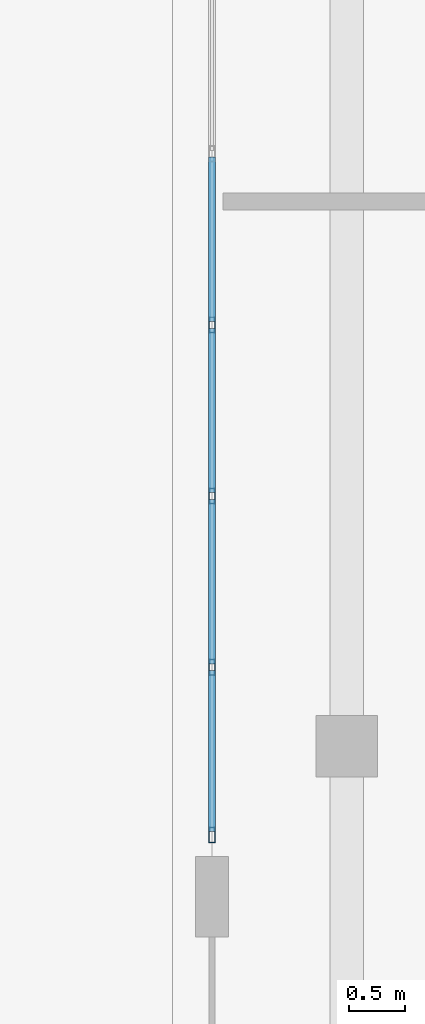
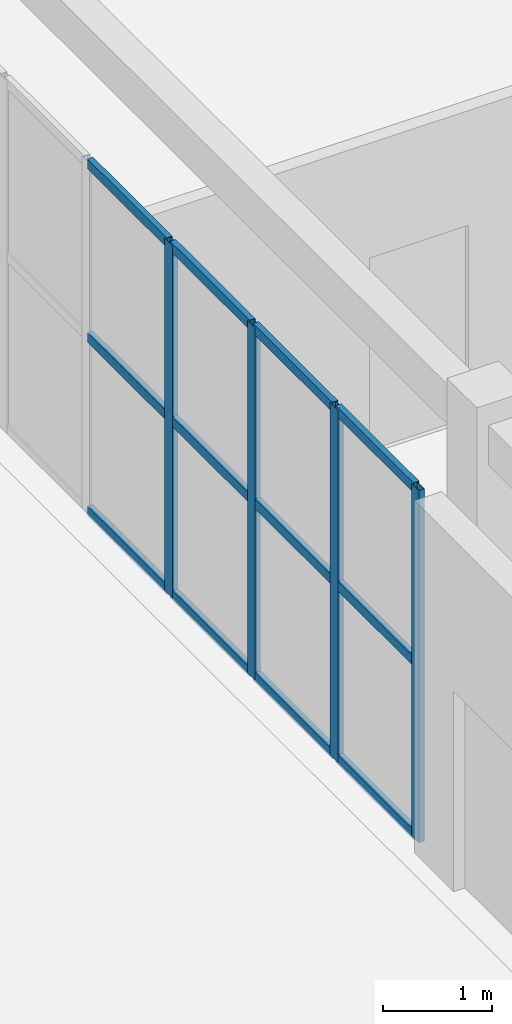
# One storey, part 19 of 90: 16 members, 1 element without a shape of its own.
"""IFC4 building model written with IfcOpenShell, lengths in metres."""

from ifc_helpers import new_model, si_unit, direction, frame, origin, origin_2d, place, context, subcontext, project, spatial, hollow_rectangle, extrude, material, layer, layer_set, material_profile, profile_set, type_object, element, aggregate, save


model = new_model("IFC4")

# Units and contexts
model_context = context("Model", 3, precision=1e-05, world=origin(), true_north=direction((0.0, 1.0)))
body_context = subcontext(model_context, "Body", "Model", "MODEL_VIEW")
ifc_project = project(units=[si_unit("LENGTHUNIT", "METRE"), si_unit("AREAUNIT", "SQUARE_METRE"), si_unit("VOLUMEUNIT", "CUBIC_METRE"), si_unit("PLANEANGLEUNIT", "RADIAN"), si_unit("MASSUNIT", "GRAM", prefix="KILO")], contexts=[model_context])

# Site, building, storey
site_placement = place(None, origin())
site = spatial("IfcSite", under=ifc_project, at=site_placement, CompositionType="ELEMENT")
building_placement = place(site_placement, origin())
building = spatial("IfcBuilding", under=site, at=building_placement, Name="Trelvath General Hospital", CompositionType="ELEMENT")
storey_placement = place(building_placement, frame((0.0, 0.0, 20.39990234375)))
storey = spatial("IfcBuildingStorey", under=building, at=storey_placement, Name="L05", CompositionType="ELEMENT", Elevation=20.39990234375)

# Curtain wall, members
ifc_material_1 = material(Name="Anodised aluminium and low-E glass", Category="aluminium")
ifc_layer = layer(ifc_material_1, 0.14990234375)
ifc_layer_set = layer_set([ifc_layer], Name="Anodised aluminium and low-E glass")
curtain_wall_type = type_object("IfcCurtainWallType", Name="CW CrystalCube 914 396 15", PredefinedType="USERDEFINED", material=ifc_layer_set)
curtain_wall_placement = place(storey_placement, origin())
curtain_wall = element("IfcCurtainWall", 1, at=curtain_wall_placement, inside=storey, type_object=curtain_wall_type, Name="Crystal Cube Curtain Wall CUBE-W-T2 W4 L05", ObjectType="Unitised Glazed Curtain Wall", PredefinedType="USERDEFINED")
ifc_material_2 = material(Name="Anodised aluminium", Category="aluminium")
ifc_material_profile_1 = material_profile(ifc_material_2, hollow_rectangle(XDim=0.06005859375, YDim=0.139892578125, WallThickness=0.00390625, at=origin_2d()), Name="RHS60x140x4")
ifc_profile_set_1 = profile_set([ifc_material_profile_1], Name="Anodised aluminium")
member_type_1 = type_object("IfcMemberType", Name="CurtainMullion 60x140", PredefinedType="MULLION", material=ifc_profile_set_1)
member_1_placement = place(storey_placement, frame((59.60009765625, 58.010009765625, 0.0), z_axis=(0.0, 0.0, 1.0), x_axis=(-1.0, 0.0, 0.0)))
member_1 = element("IfcMember", 2, at=member_1_placement, type_object=member_type_1, Name="CW-312 mullion 1", PredefinedType="MULLION", context=body_context, shape_type="SweptSolid", body=[
    extrude(hollow_rectangle(XDim=0.06005859375, YDim=0.139892578125, WallThickness=0.00390625, at=origin_2d()), origin(), (0.0, 0.0, 1.0), 3.960205078125),
])
member_2_placement = place(storey_placement, frame((59.60009765625, 59.50341796875, 0.0), z_axis=(0.0, 0.0, 1.0), x_axis=(-1.0, 0.0, 0.0)))
member_2 = element("IfcMember", 3, at=member_2_placement, type_object=member_type_1, Name="CW-312 mullion 2", PredefinedType="MULLION", context=body_context, shape_type="SweptSolid", body=[
    extrude(hollow_rectangle(XDim=0.06005859375, YDim=0.139892578125, WallThickness=0.00390625, at=origin_2d()), origin(), (0.0, 0.0, 1.0), 3.960205078125),
])
member_3_placement = place(storey_placement, frame((59.60009765625, 61.026611328125, 0.0), z_axis=(0.0, 0.0, 1.0), x_axis=(-1.0, 0.0, 0.0)))
member_3 = element("IfcMember", 4, at=member_3_placement, type_object=member_type_1, Name="CW-312 mullion 3", PredefinedType="MULLION", context=body_context, shape_type="SweptSolid", body=[
    extrude(hollow_rectangle(XDim=0.06005859375, YDim=0.139892578125, WallThickness=0.00390625, at=origin_2d()), origin(), (0.0, 0.0, 1.0), 3.960205078125),
])
member_4_placement = place(storey_placement, frame((59.60009765625, 62.550048828125, 0.0), z_axis=(0.0, 0.0, 1.0), x_axis=(-1.0, 0.0, 0.0)))
member_4 = element("IfcMember", 5, at=member_4_placement, type_object=member_type_1, Name="CW-312 mullion 4", PredefinedType="MULLION", context=body_context, shape_type="SweptSolid", body=[
    extrude(hollow_rectangle(XDim=0.06005859375, YDim=0.139892578125, WallThickness=0.00390625, at=origin_2d()), origin(), (0.0, 0.0, 1.0), 3.960205078125),
])
ifc_material_3 = material(Name="Anodised aluminium", Category="aluminium")
ifc_material_profile_2 = material_profile(ifc_material_3, hollow_rectangle(XDim=0.06005859375, YDim=0.110107421875, WallThickness=0.00390625, at=origin_2d()), Name="RHS60x110x4")
ifc_profile_set_2 = profile_set([ifc_material_profile_2], Name="Anodised aluminium")
member_type_2 = type_object("IfcMemberType", Name="CurtainTransom 60x110", PredefinedType="USERDEFINED", material=ifc_profile_set_2)
member_5_placement = place(storey_placement, frame((59.60009765625, 58.0400390625, 0.030029296875), z_axis=(0.0, 1.0, 0.0), x_axis=(-1.0, 0.0, 0.0)))
member_5 = element("IfcMember", 6, at=member_5_placement, type_object=member_type_2, Name="CW-312 transom 1.1", ObjectType="TRANSOM", PredefinedType="USERDEFINED", context=body_context, shape_type="SweptSolid", body=[
    extrude(hollow_rectangle(XDim=0.06005859375, YDim=0.110107421875, WallThickness=0.00390625, at=origin_2d()), origin(), (0.0, 0.0, 1.0), 1.433349609375),
])
member_6_placement = place(storey_placement, frame((59.60009765625, 58.0400390625, 1.97998046875), z_axis=(0.0, 1.0, 0.0), x_axis=(-1.0, 0.0, 0.0)))
member_6 = element("IfcMember", 7, at=member_6_placement, type_object=member_type_2, Name="CW-312 transom 1.2", ObjectType="TRANSOM", PredefinedType="USERDEFINED", context=body_context, shape_type="SweptSolid", body=[
    extrude(hollow_rectangle(XDim=0.06005859375, YDim=0.110107421875, WallThickness=0.00390625, at=origin_2d()), origin(), (0.0, 0.0, 1.0), 1.433349609375),
])
member_7_placement = place(storey_placement, frame((59.60009765625, 58.0400390625, 3.93017578125), z_axis=(0.0, 1.0, 0.0), x_axis=(-1.0, 0.0, 0.0)))
member_7 = element("IfcMember", 8, at=member_7_placement, type_object=member_type_2, Name="CW-312 transom 1.3", ObjectType="TRANSOM", PredefinedType="USERDEFINED", context=body_context, shape_type="SweptSolid", body=[
    extrude(hollow_rectangle(XDim=0.06005859375, YDim=0.110107421875, WallThickness=0.00390625, at=origin_2d()), origin(), (0.0, 0.0, 1.0), 1.433349609375),
])
member_8_placement = place(storey_placement, frame((59.60009765625, 59.533447265625, 0.030029296875), z_axis=(0.0, 1.0, 0.0), x_axis=(-1.0, 0.0, 0.0)))
member_8 = element("IfcMember", 9, at=member_8_placement, type_object=member_type_2, Name="CW-312 transom 2.1", ObjectType="TRANSOM", PredefinedType="USERDEFINED", context=body_context, shape_type="SweptSolid", body=[
    extrude(hollow_rectangle(XDim=0.06005859375, YDim=0.110107421875, WallThickness=0.00390625, at=origin_2d()), origin(), (0.0, 0.0, 1.0), 1.463134765625),
])
member_9_placement = place(storey_placement, frame((59.60009765625, 59.533447265625, 1.97998046875), z_axis=(0.0, 1.0, 0.0), x_axis=(-1.0, 0.0, 0.0)))
member_9 = element("IfcMember", 10, at=member_9_placement, type_object=member_type_2, Name="CW-312 transom 2.2", ObjectType="TRANSOM", PredefinedType="USERDEFINED", context=body_context, shape_type="SweptSolid", body=[
    extrude(hollow_rectangle(XDim=0.06005859375, YDim=0.110107421875, WallThickness=0.00390625, at=origin_2d()), origin(), (0.0, 0.0, 1.0), 1.463134765625),
])
member_10_placement = place(storey_placement, frame((59.60009765625, 59.533447265625, 3.93017578125), z_axis=(0.0, 1.0, 0.0), x_axis=(-1.0, 0.0, 0.0)))
member_10 = element("IfcMember", 11, at=member_10_placement, type_object=member_type_2, Name="CW-312 transom 2.3", ObjectType="TRANSOM", PredefinedType="USERDEFINED", context=body_context, shape_type="SweptSolid", body=[
    extrude(hollow_rectangle(XDim=0.06005859375, YDim=0.110107421875, WallThickness=0.00390625, at=origin_2d()), origin(), (0.0, 0.0, 1.0), 1.463134765625),
])
member_11_placement = place(storey_placement, frame((59.60009765625, 61.056640625, 0.030029296875), z_axis=(0.0, 1.0, 0.0), x_axis=(-1.0, 0.0, 0.0)))
member_11 = element("IfcMember", 12, at=member_11_placement, type_object=member_type_2, Name="CW-312 transom 3.1", ObjectType="TRANSOM", PredefinedType="USERDEFINED", context=body_context, shape_type="SweptSolid", body=[
    extrude(hollow_rectangle(XDim=0.06005859375, YDim=0.110107421875, WallThickness=0.00390625, at=origin_2d()), origin(), (0.0, 0.0, 1.0), 1.46337890625),
])
member_12_placement = place(storey_placement, frame((59.60009765625, 61.056640625, 1.97998046875), z_axis=(0.0, 1.0, 0.0), x_axis=(-1.0, 0.0, 0.0)))
member_12 = element("IfcMember", 13, at=member_12_placement, type_object=member_type_2, Name="CW-312 transom 3.2", ObjectType="TRANSOM", PredefinedType="USERDEFINED", context=body_context, shape_type="SweptSolid", body=[
    extrude(hollow_rectangle(XDim=0.06005859375, YDim=0.110107421875, WallThickness=0.00390625, at=origin_2d()), origin(), (0.0, 0.0, 1.0), 1.46337890625),
])
member_13_placement = place(storey_placement, frame((59.60009765625, 61.056640625, 3.93017578125), z_axis=(0.0, 1.0, 0.0), x_axis=(-1.0, 0.0, 0.0)))
member_13 = element("IfcMember", 14, at=member_13_placement, type_object=member_type_2, Name="CW-312 transom 3.3", ObjectType="TRANSOM", PredefinedType="USERDEFINED", context=body_context, shape_type="SweptSolid", body=[
    extrude(hollow_rectangle(XDim=0.06005859375, YDim=0.110107421875, WallThickness=0.00390625, at=origin_2d()), origin(), (0.0, 0.0, 1.0), 1.46337890625),
])
member_14_placement = place(storey_placement, frame((59.60009765625, 62.580078125, 0.030029296875), z_axis=(0.0, 1.0, 0.0), x_axis=(-1.0, 0.0, 0.0)))
member_14 = element("IfcMember", 15, at=member_14_placement, type_object=member_type_2, Name="CW-312 transom 4.1", ObjectType="TRANSOM", PredefinedType="USERDEFINED", context=body_context, shape_type="SweptSolid", body=[
    extrude(hollow_rectangle(XDim=0.06005859375, YDim=0.110107421875, WallThickness=0.00390625, at=origin_2d()), origin(), (0.0, 0.0, 1.0), 1.463134765625),
])
member_15_placement = place(storey_placement, frame((59.60009765625, 62.580078125, 1.97998046875), z_axis=(0.0, 1.0, 0.0), x_axis=(-1.0, 0.0, 0.0)))
member_15 = element("IfcMember", 16, at=member_15_placement, type_object=member_type_2, Name="CW-312 transom 4.2", ObjectType="TRANSOM", PredefinedType="USERDEFINED", context=body_context, shape_type="SweptSolid", body=[
    extrude(hollow_rectangle(XDim=0.06005859375, YDim=0.110107421875, WallThickness=0.00390625, at=origin_2d()), origin(), (0.0, 0.0, 1.0), 1.463134765625),
])
member_16_placement = place(storey_placement, frame((59.60009765625, 62.580078125, 3.93017578125), z_axis=(0.0, 1.0, 0.0), x_axis=(-1.0, 0.0, 0.0)))
member_16 = element("IfcMember", 17, at=member_16_placement, type_object=member_type_2, Name="CW-312 transom 4.3", ObjectType="TRANSOM", PredefinedType="USERDEFINED", context=body_context, shape_type="SweptSolid", body=[
    extrude(hollow_rectangle(XDim=0.06005859375, YDim=0.110107421875, WallThickness=0.00390625, at=origin_2d()), origin(), (0.0, 0.0, 1.0), 1.463134765625),
])
aggregate(curtain_wall, [member_1, member_2, member_3, member_4, member_5, member_6, member_7, member_8, member_9, member_10, member_11, member_12, member_13, member_14, member_15, member_16])

save(model, "model.ifc")
